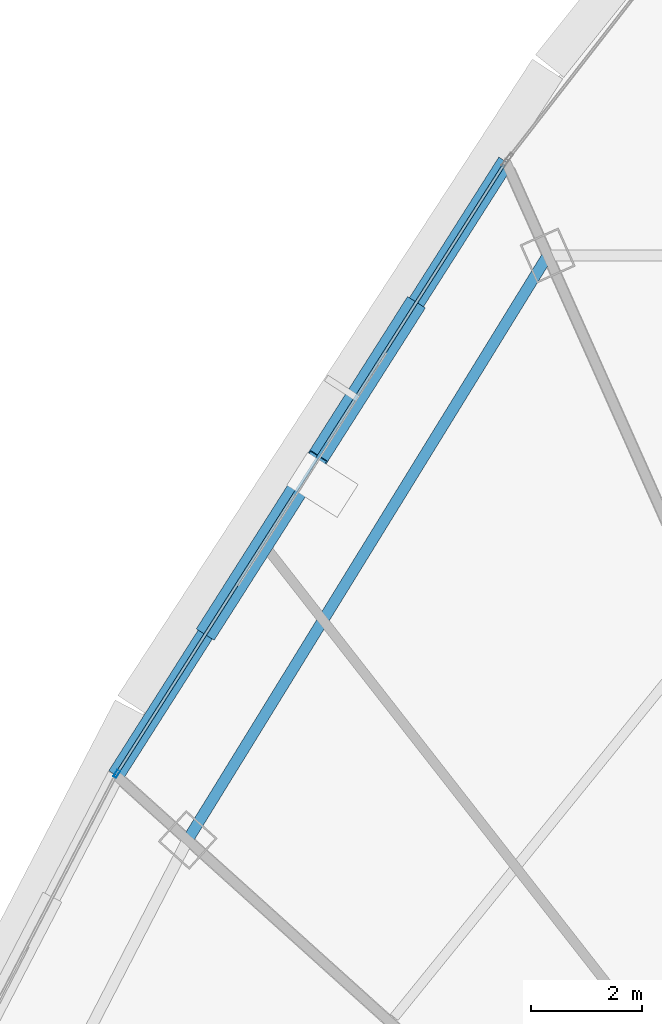
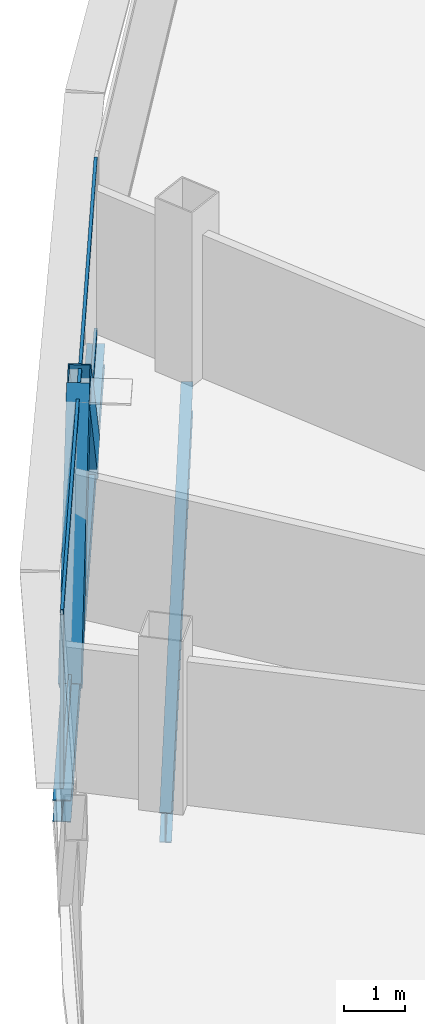
# One storey, part 18 of 33: 5 members, 2 beams, 1 element without a shape of its own.
"""IFC4 building model written with IfcOpenShell, lengths in metres."""

from ifc_helpers import new_model, si_unit, direction, frame, origin, origin_2d, place, context, subcontext, project, spatial, hollow_rectangle, i_section, extrude, source, transform, mapped, material, layer, layer_set, material_profile, profile_set, type_object, element, aggregate, save


model = new_model("IFC4")

# Units and contexts
model_context = context("Model", 3, precision=1e-05, world=origin(), true_north=direction((0.0, 1.0)))
body_context = subcontext(model_context, "Body", "Model", "MODEL_VIEW")
ifc_project = project(units=[si_unit("LENGTHUNIT", "METRE"), si_unit("AREAUNIT", "SQUARE_METRE"), si_unit("VOLUMEUNIT", "CUBIC_METRE"), si_unit("PLANEANGLEUNIT", "RADIAN"), si_unit("MASSUNIT", "GRAM", prefix="KILO"), si_unit("THERMODYNAMICTEMPERATUREUNIT", "KELVIN"), si_unit("POWERUNIT", "WATT")], contexts=[model_context])

# Site, building, storey
site_placement = place(None, origin())
site = spatial("IfcSite", under=ifc_project, at=site_placement, CompositionType="ELEMENT")
building_placement = place(site_placement, origin())
building = spatial("IfcBuilding", under=site, at=building_placement, Name="Yunzhuo Pagoda Commons", CompositionType="ELEMENT")
storey_placement = place(building_placement, frame((0.0, 0.0, 307.39990234375)))
storey = spatial("IfcBuildingStorey", under=building, at=storey_placement, Name="L77", CompositionType="ELEMENT", Elevation=307.39990234375)

# Beams
ifc_material_1 = material(Name="Structural steel Q355B", Category="steel")
ifc_material_profile_1 = material_profile(ifc_material_1, i_section(OverallWidth=0.199951171875, OverallDepth=0.60009765625, WebThickness=0.010986328125, FlangeThickness=0.01708984375, at=origin_2d()), Name="Structural steel Q355B")
ifc_profile_set_1 = profile_set([ifc_material_profile_1], Name="Structural steel Q355B")
beam_type_1 = type_object("IfcBeamType", Name="B-RG3 Beam HN 600x200x11x17", PredefinedType="BEAM", material=ifc_profile_set_1)
shared_shape_1 = source(origin(), body_context, "Body", "SweptSolid", [
    extrude(i_section(OverallWidth=0.199951171875, OverallDepth=0.60009765625, WebThickness=0.010986328125, FlangeThickness=0.01708984375, at=origin_2d()), origin(), (0.0, 0.0, 1.0), 12.315185546875),
])
beam_1_placement = place(storey_placement, frame((35.8857421875, 60.9091796875, -0.559814453125), z_axis=(-0.524469015689, -0.851429534126, 0.0), x_axis=(0.851429534126, -0.524469015689, 0.0)))
element("IfcBeam", 1, at=beam_1_placement, inside=storey, type_object=beam_type_1, Name="L77 column-ring beam 9", PredefinedType="BEAM", context=body_context, shape_type="MappedRepresentation", body=[
    mapped(shared_shape_1, transform((0.0, 0.0, 0.0), scale=1.0)),
])
ifc_material_profile_2 = material_profile(ifc_material_1, i_section(OverallWidth=0.300048828125, OverallDepth=0.43994140625, WebThickness=0.010986328125, FlangeThickness=0.01806640625, at=origin_2d()), Name="Structural steel Q355B")
ifc_profile_set_2 = profile_set([ifc_material_profile_2], Name="Structural steel Q355B")
beam_type_2 = type_object("IfcBeamType", Name="B-SP2 Beam HM 440x300x11x18", PredefinedType="BEAM", material=ifc_profile_set_2)
shared_shape_2 = source(origin(), body_context, "Body", "SweptSolid", [
    extrude(i_section(OverallWidth=0.300048828125, OverallDepth=0.43994140625, WebThickness=0.010986328125, FlangeThickness=0.01806640625, at=origin_2d()), origin(), (0.0, 0.0, 1.0), 13.04541015625),
])
beam_2_placement = place(storey_placement, frame((35.135498046875, 62.593994140625, -0.47998046875), z_axis=(-0.536495198362, -0.84390337251, 0.0), x_axis=(0.84390337251, -0.536495198362, 0.0)))
element("IfcBeam", 2, at=beam_2_placement, inside=storey, type_object=beam_type_2, Name="L77 facade edge spandrel beam F3.1", PredefinedType="BEAM", context=body_context, shape_type="MappedRepresentation", body=[
    mapped(shared_shape_2, transform((0.0, 0.0, 0.0), scale=1.0)),
])

# Members
ifc_material_profile_3 = material_profile(ifc_material_1, hollow_rectangle(XDim=0.3798828125, YDim=0.719970703125, WallThickness=0.02001953125, at=origin_2d()), Name="Structural steel Q355B")
ifc_profile_set_3 = profile_set([ifc_material_profile_3], Name="Structural steel Q355B")
member_type_1 = type_object("IfcMemberType", Name="M-DL3 Brace BOX 720x380x20", PredefinedType="BRACE", material=ifc_profile_set_3)
shared_shape_3 = source(origin(), body_context, "Body", "SweptSolid", [
    extrude(hollow_rectangle(XDim=0.3798828125, YDim=0.719970703125, WallThickness=0.02001953125, at=origin_2d()), origin(), (0.0, 0.0, 1.0), 4.95458984375),
])
member_1_placement = place(storey_placement, frame((33.3857421875, 59.841796875, -0.260009765625), z_axis=(-0.353051805891, -0.555471459569, 0.752865114056), x_axis=(0.843957297957, -0.536410364576, 0.0)))
element("IfcMember", 3, at=member_1_placement, inside=storey, type_object=member_type_1, Name="L77 facade diamond brace F3.1L", PredefinedType="BRACE", context=body_context, shape_type="MappedRepresentation", body=[
    mapped(shared_shape_3, transform((0.0, 0.0, 0.0), scale=1.0)),
])
shared_shape_4 = source(origin(), body_context, "Body", "SweptSolid", [
    extrude(hollow_rectangle(XDim=0.3798828125, YDim=0.719970703125, WallThickness=0.02001953125, at=origin_2d()), origin(), (0.0, 0.0, 1.0), 4.955078125),
])
member_2_placement = place(storey_placement, frame((29.886474609375, 54.337158203125, -0.260009765625), z_axis=(0.353171527923, 0.555476535408, 0.752805214166), x_axis=(-0.843877168398, 0.536536415033, 0.0)))
element("IfcMember", 4, at=member_2_placement, inside=storey, type_object=member_type_1, Name="L77 facade diamond brace F3.1R", PredefinedType="BRACE", context=body_context, shape_type="MappedRepresentation", body=[
    mapped(shared_shape_4, transform((0.0, 0.0, 0.0), scale=1.0)),
])

# Curtain wall, members
ifc_material_2 = material(Name="Anodized aluminium 6063-T6", Category="aluminium")
ifc_layer = layer(ifc_material_2, 0.139892578125)
ifc_layer_set = layer_set([ifc_layer], Name="Anodized aluminium 6063-T6")
curtain_wall_type = type_object("IfcCurtainWallType", Name="CW-HI High-Zone Ribbon Curtain Wall", PredefinedType="NOTDEFINED", material=ifc_layer_set)
curtain_wall_placement = place(storey_placement, origin())
curtain_wall = element("IfcCurtainWall", 5, at=curtain_wall_placement, inside=storey, type_object=curtain_wall_type, Name="L77 curtain wall CW-L77-F3B2", PredefinedType="NOTDEFINED")
ifc_material_profile_4 = material_profile(ifc_material_2, hollow_rectangle(XDim=0.06005859375, YDim=0.139892578125, WallThickness=0.00341796875, at=origin_2d()), Name="Anodized aluminium 6063-T6")
ifc_profile_set_4 = profile_set([ifc_material_profile_4], Name="Anodized aluminium 6063-T6")
member_type_2 = type_object("IfcMemberType", Name="CW-HI-M Mullion RHS 140x60x3.5", PredefinedType="MULLION", material=ifc_profile_set_4)
shared_shape_5 = source(origin(), body_context, "Body", "SweptSolid", [
    extrude(hollow_rectangle(XDim=0.06005859375, YDim=0.139892578125, WallThickness=0.00341796875, at=origin_2d()), origin(), (0.0, 0.0, 1.0), 3.47021484375),
])
member_3_placement = place(storey_placement, frame((28.15283203125, 51.610107421875, 0.0), z_axis=(0.0, 0.0, 1.0), x_axis=(0.843909804597, -0.536485080599, 0.0)))
member_3 = element("IfcMember", 6, at=member_3_placement, type_object=member_type_2, Name="CW mullion 2", PredefinedType="MULLION", context=body_context, shape_type="MappedRepresentation", body=[
    mapped(shared_shape_5, transform((0.0, 0.0, 0.0), scale=1.0)),
])
ifc_material_profile_5 = material_profile(ifc_material_2, hollow_rectangle(XDim=0.054931640625, YDim=0.1201171875, WallThickness=0.00341796875, at=origin_2d()), Name="Anodized aluminium 6063-T6")
ifc_profile_set_5 = profile_set([ifc_material_profile_5], Name="Anodized aluminium 6063-T6")
member_type_3 = type_object("IfcMemberType", Name="CW-HI-T Transom RHS 120x55x3.5", PredefinedType="USERDEFINED", material=ifc_profile_set_5)
shared_shape_6 = source(origin(), body_context, "Body", "SweptSolid", [
    extrude(hollow_rectangle(XDim=0.054931640625, YDim=0.1201171875, WallThickness=0.00341796875, at=origin_2d()), origin(), (0.0, 0.0, 1.0), 12.925537109375),
])
member_4_placement = place(storey_placement, frame((35.103515625, 62.54345703125, 0.027587890625), z_axis=(-0.536497787374, -0.843901726591, 0.0), x_axis=(0.843901726591, -0.536497787374, 0.0)))
member_4 = element("IfcMember", 7, at=member_4_placement, type_object=member_type_3, Name="CW transom 1.1", ObjectType="TRANSOM", PredefinedType="USERDEFINED", context=body_context, shape_type="MappedRepresentation", body=[
    mapped(shared_shape_6, transform((0.0, 0.0, 0.0), scale=1.0)),
])
member_5_placement = place(storey_placement, frame((35.103515625, 62.54345703125, 3.442626953125), z_axis=(-0.536497787374, -0.843901726591, 0.0), x_axis=(0.843901726591, -0.536497787374, 0.0)))
member_5 = element("IfcMember", 8, at=member_5_placement, type_object=member_type_3, Name="CW transom 1.2", ObjectType="TRANSOM", PredefinedType="USERDEFINED", context=body_context, shape_type="MappedRepresentation", body=[
    mapped(shared_shape_6, transform((0.0, 0.0, 0.0), scale=1.0)),
])
aggregate(curtain_wall, [member_3, member_4, member_5])

save(model, "model.ifc")
